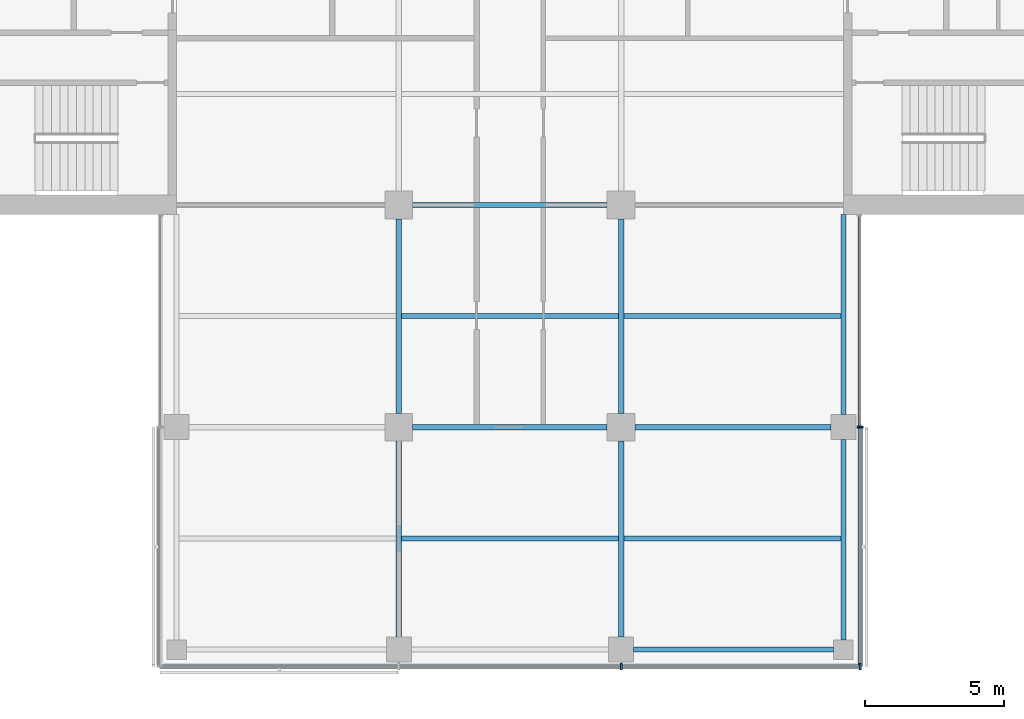
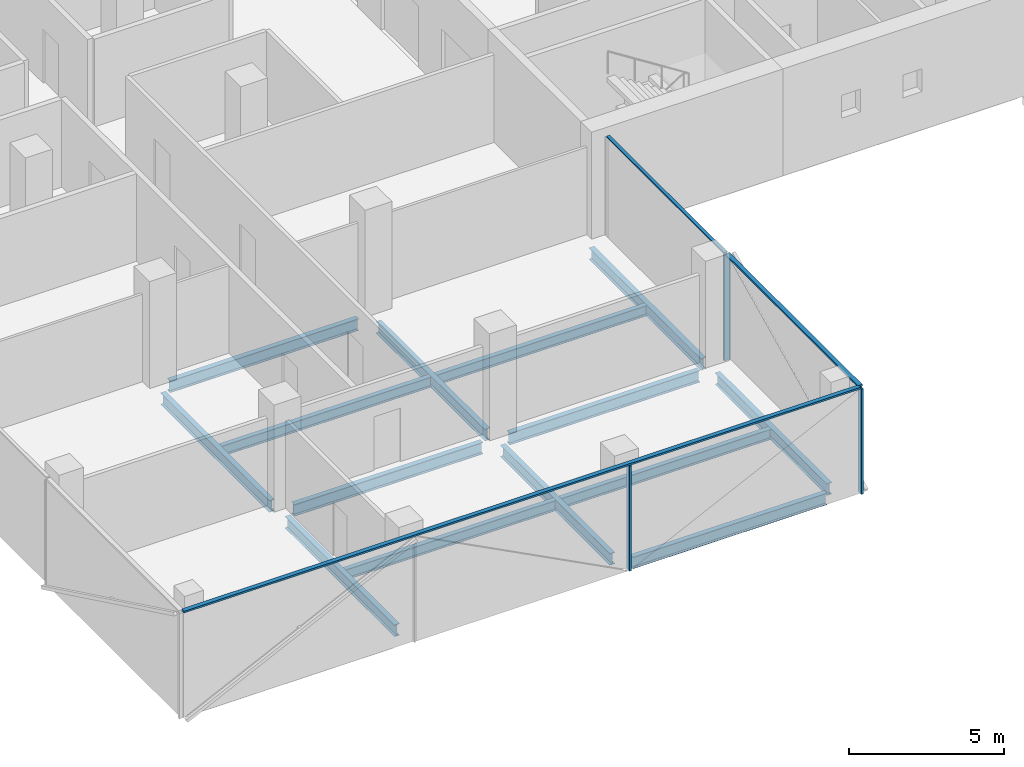
# One storey, part 5 of 22: 14 beams, 7 members, 3 elements without a shape of their own.
"""IFC4 building model written with IfcOpenShell, lengths in metres."""

from ifc_helpers import new_model, si_unit, direction, frame, origin, origin_2d, place, context, subcontext, project, spatial, rectangle, i_section, extrude, material, material_profile, profile_set, type_object, element, aggregate, save


model = new_model("IFC4")

# Units and contexts
model_context = context("Model", 3, precision=1e-05, world=origin(), true_north=direction((0.0, 1.0)))
body_context = subcontext(model_context, "Body", "Model", "MODEL_VIEW")
ifc_project = project(units=[si_unit("LENGTHUNIT", "METRE"), si_unit("AREAUNIT", "SQUARE_METRE"), si_unit("VOLUMEUNIT", "CUBIC_METRE"), si_unit("PLANEANGLEUNIT", "RADIAN"), si_unit("MASSUNIT", "GRAM", prefix="KILO")], contexts=[model_context])

# Site, building, storey
site_placement = place(None, origin())
site = spatial("IfcSite", under=ifc_project, at=site_placement, CompositionType="ELEMENT")
building_placement = place(site_placement, origin())
building = spatial("IfcBuilding", under=site, at=building_placement, Name="Crosswind Convention Tower", CompositionType="ELEMENT")
storey_placement = place(building_placement, frame((0.0, 0.0, 133.699951171875)))
storey = spatial("IfcBuildingStorey", under=building, at=storey_placement, Name="L27", CompositionType="ELEMENT", Elevation=133.699951171875)

# Beams
ifc_material_1 = material(Name="Steel S355", Category="steel")
ifc_material_profile_1 = material_profile(ifc_material_1, i_section(OverallWidth=0.18994140625, OverallDepth=0.45361328125, WebThickness=0.008544921875, FlangeThickness=0.0126953125, FilletRadius=0.01025390625, at=origin_2d()), Name="UB 457x191x67")
ifc_profile_set_1 = profile_set([ifc_material_profile_1], Name="Steel S355")
beam_type_1 = type_object("IfcBeamType", Name="Edge beam UB 457x191x67", PredefinedType="SPANDREL", material=ifc_profile_set_1)
for number, where, z_axis, x_axis, name in (
    (1, (129.449951171875, 72.0, -0.52685546875), (1.0, 0.0, 0.0), (0.0, 1.0, 0.0), "B16 L27 edge beam 14"),
    (2, (137.0, 72.35009765625, -0.52685546875), (0.0, 1.0, 0.0), (-1.0, 0.0, 0.0), "B16 L27 edge beam 16"),
    (3, (137.0, 80.449951171875, -0.52685546875), (0.0, 1.0, 0.0), (-1.0, 0.0, 0.0), "B16 L27 edge beam 17"),
):
    element("IfcBeam", number, at=place(storey_placement, frame(where, z_axis=z_axis, x_axis=x_axis)), inside=storey, type_object=beam_type_1, Name=name, PredefinedType="SPANDREL", context=body_context, shape_type="SweptSolid", body=[
        extrude(i_section(OverallWidth=0.18994140625, OverallDepth=0.45361328125, WebThickness=0.008544921875, FlangeThickness=0.0126953125, FilletRadius=0.01025390625, at=origin_2d()), origin(), (0.0, 0.0, 1.0), 7.199951171875),
    ])
ifc_material_profile_2 = material_profile(ifc_material_1, i_section(OverallWidth=0.19140625, OverallDepth=0.460205078125, WebThickness=0.010009765625, FlangeThickness=0.01611328125, FilletRadius=0.01025390625, at=origin_2d()), Name="UB 457x191x82")
ifc_profile_set_2 = profile_set([ifc_material_profile_2], Name="Steel S355")
beam_type_2 = type_object("IfcBeamType", Name="Girder UB 457x191x82", PredefinedType="BEAM", material=ifc_profile_set_2)
beam_1_placement = place(storey_placement, frame((121.0, 72.449951171875, -0.530029296875), z_axis=(0.0, 1.0, 0.0), x_axis=(-1.0, 0.0, 0.0)))
element("IfcBeam", 4, at=beam_1_placement, inside=storey, type_object=beam_type_2, Name="B3 L27 girder 3", PredefinedType="BEAM", context=body_context, shape_type="SweptSolid", body=[
    extrude(i_section(OverallWidth=0.19140625, OverallDepth=0.460205078125, WebThickness=0.010009765625, FlangeThickness=0.01611328125, FilletRadius=0.01025390625, at=origin_2d()), origin(), (0.0, 0.0, 1.0), 7.050048828125),
])
for number, where, z_axis, x_axis, name in (
    (5, (121.0, 80.5, -0.530029296875), (0.0, 1.0, 0.0), (-1.0, 0.0, 0.0), "B3 L27 girder 4"),
    (6, (121.5, 80.0, -0.530029296875), (1.0, 0.0, 0.0), (0.0, 1.0, 0.0), "B3 L27 girder 10"),
    (7, (121.5, 88.0, -0.530029296875), (1.0, 0.0, 0.0), (0.0, 1.0, 0.0), "B3 L27 girder 11"),
):
    element("IfcBeam", number, at=place(storey_placement, frame(where, z_axis=z_axis, x_axis=x_axis)), inside=storey, type_object=beam_type_2, Name=name, PredefinedType="BEAM", context=body_context, shape_type="SweptSolid", body=[
        extrude(i_section(OverallWidth=0.19140625, OverallDepth=0.460205078125, WebThickness=0.010009765625, FlangeThickness=0.01611328125, FilletRadius=0.01025390625, at=origin_2d()), origin(), (0.0, 0.0, 1.0), 7.0),
    ])
beam_2_placement = place(storey_placement, frame((129.0, 72.449951171875, -0.530029296875), z_axis=(0.0, 1.0, 0.0), x_axis=(-1.0, 0.0, 0.0)))
element("IfcBeam", 8, at=beam_2_placement, inside=storey, type_object=beam_type_2, Name="B3 L27 girder 16", PredefinedType="BEAM", context=body_context, shape_type="SweptSolid", body=[
    extrude(i_section(OverallWidth=0.19140625, OverallDepth=0.460205078125, WebThickness=0.010009765625, FlangeThickness=0.01611328125, FilletRadius=0.01025390625, at=origin_2d()), origin(), (0.0, 0.0, 1.0), 7.050048828125),
])
beam_3_placement = place(storey_placement, frame((129.0, 80.5, -0.530029296875), z_axis=(0.0, 1.0, 0.0), x_axis=(-1.0, 0.0, 0.0)))
element("IfcBeam", 9, at=beam_3_placement, inside=storey, type_object=beam_type_2, Name="B3 L27 girder 17", PredefinedType="BEAM", context=body_context, shape_type="SweptSolid", body=[
    extrude(i_section(OverallWidth=0.19140625, OverallDepth=0.460205078125, WebThickness=0.010009765625, FlangeThickness=0.01611328125, FilletRadius=0.01025390625, at=origin_2d()), origin(), (0.0, 0.0, 1.0), 7.0),
])
beam_4_placement = place(storey_placement, frame((129.5, 80.0, -0.530029296875), z_axis=(1.0, 0.0, 0.0), x_axis=(0.0, 1.0, 0.0)))
element("IfcBeam", 10, at=beam_4_placement, inside=storey, type_object=beam_type_2, Name="B3 L27 girder 23", PredefinedType="BEAM", context=body_context, shape_type="SweptSolid", body=[
    extrude(i_section(OverallWidth=0.19140625, OverallDepth=0.460205078125, WebThickness=0.010009765625, FlangeThickness=0.01611328125, FilletRadius=0.01025390625, at=origin_2d()), origin(), (0.0, 0.0, 1.0), 7.050048828125),
])

# Curtain wall, member
ifc_material_2 = material(Name="Aluminium unitised curtain wall", Category="aluminium")
curtain_wall_type_1 = type_object("IfcCurtainWallType", Name="CORE END SLOT WALL 160", PredefinedType="USERDEFINED", material=ifc_material_2)
curtain_wall_1_placement = place(storey_placement, origin())
curtain_wall_1 = element("IfcCurtainWall", 11, at=curtain_wall_1_placement, inside=storey, type_object=curtain_wall_type_1, Name="CW6 L27 S-E.1-2 slot", ObjectType="UNITISED", PredefinedType="USERDEFINED")
ifc_material_3 = material(Name="Aluminium mullion", Category="aluminium")
ifc_material_profile_3 = material_profile(ifc_material_3, rectangle(XDim=0.159912109375, YDim=0.050048828125, at=origin_2d()), Name="AL 160X50")
ifc_profile_set_3 = profile_set([ifc_material_profile_3], Name="Aluminium mullion")
member_type_1 = type_object("IfcMemberType", Name="MULLION 50X160", PredefinedType="MULLION", material=ifc_profile_set_3)
member_1_placement = place(storey_placement, frame((137.580078125, 80.02490234375, -0.300048828125), z_axis=(0.0, 0.0, 1.0), x_axis=(1.0, 0.0, 0.0)))
member_1 = element("IfcMember", 12, at=member_1_placement, type_object=member_type_1, Name="CW6 mullion 1", PredefinedType="MULLION", context=body_context, shape_type="SweptSolid", body=[
    extrude(rectangle(XDim=0.159912109375, YDim=0.050048828125, at=origin_2d()), origin(), (0.0, 0.0, 1.0), 4.150146484375),
])

# Curtain wall, members
curtain_wall_type_2 = type_object("IfcCurtainWallType", Name="OFFICE UNITISED WALL 220", PredefinedType="USERDEFINED", material=ifc_material_2)
curtain_wall_2_placement = place(storey_placement, origin())
curtain_wall_2 = element("IfcCurtainWall", 13, at=curtain_wall_2_placement, inside=storey, type_object=curtain_wall_type_2, Name="CW3 L27 S-TIP 1", ObjectType="UNITISED", PredefinedType="USERDEFINED")
ifc_material_profile_4 = material_profile(ifc_material_3, rectangle(XDim=0.219970703125, YDim=0.070068359375, at=origin_2d()), Name="AL 220X70")
ifc_profile_set_4 = profile_set([ifc_material_profile_4], Name="Aluminium mullion")
member_type_2 = type_object("IfcMemberType", Name="MULLION 70X220", PredefinedType="MULLION", material=ifc_profile_set_4)
member_2_placement = place(storey_placement, frame((129.0, 71.389892578125, -0.300048828125), z_axis=(0.0, 0.0, 1.0), x_axis=(0.0, -1.0, 0.0)))
member_2 = element("IfcMember", 14, at=member_2_placement, type_object=member_type_2, Name="CW3 mullion 3", PredefinedType="MULLION", context=body_context, shape_type="SweptSolid", body=[
    extrude(rectangle(XDim=0.219970703125, YDim=0.070068359375, at=origin_2d()), origin(), (0.0, 0.0, 1.0), 4.130126953125),
])
member_3_placement = place(storey_placement, frame((137.610107421875, 71.389892578125, -0.300048828125), z_axis=(0.0, 0.0, 1.0), x_axis=(0.0, -1.0, 0.0)))
member_3 = element("IfcMember", 15, at=member_3_placement, type_object=member_type_2, Name="CW3 mullion 4", PredefinedType="MULLION", context=body_context, shape_type="SweptSolid", body=[
    extrude(rectangle(XDim=0.219970703125, YDim=0.070068359375, at=origin_2d()), origin(), (0.0, 0.0, 1.0), 4.130126953125),
])

# Curtain wall, member
curtain_wall_3_placement = place(storey_placement, origin())
curtain_wall_3 = element("IfcCurtainWall", 16, at=curtain_wall_3_placement, inside=storey, type_object=curtain_wall_type_2, Name="CW3 L27 S-E 1", ObjectType="UNITISED", PredefinedType="USERDEFINED")
member_4_placement = place(storey_placement, frame((137.610107421875, 80.0, -0.300048828125), z_axis=(0.0, 0.0, 1.0), x_axis=(1.0, 0.0, 0.0)))
member_4 = element("IfcMember", 17, at=member_4_placement, type_object=member_type_2, Name="CW3 mullion 2", PredefinedType="MULLION", context=body_context, shape_type="SweptSolid", body=[
    extrude(rectangle(XDim=0.219970703125, YDim=0.070068359375, at=origin_2d()), origin(), (0.0, 0.0, 1.0), 4.130126953125),
])

# Beams
ifc_material_profile_5 = material_profile(ifc_material_1, i_section(OverallWidth=0.177734375, OverallDepth=0.406494140625, WebThickness=0.0078125, FlangeThickness=0.0126953125, FilletRadius=0.01025390625, at=origin_2d()), Name="UB 406x178x60")
ifc_profile_set_5 = profile_set([ifc_material_profile_5], Name="Steel S355")
beam_type_3 = type_object("IfcBeamType", Name="Secondary beam UB 406x178x60", PredefinedType="JOIST", material=ifc_profile_set_5)
for number, where, z_axis, x_axis, name in (
    (18, (121.095703125, 76.0, -0.503173828125), (1.0, 0.0, 0.0), (0.0, 1.0, 0.0), "B10 L27 secondary beam 11"),
    (19, (121.095703125, 84.0, -0.503173828125), (1.0, 0.0, 0.0), (0.0, 1.0, 0.0), "B10 L27 secondary beam 12"),
):
    element("IfcBeam", number, at=place(storey_placement, frame(where, z_axis=z_axis, x_axis=x_axis)), inside=storey, type_object=beam_type_3, Name=name, PredefinedType="JOIST", context=body_context, shape_type="SweptSolid", body=[
        extrude(i_section(OverallWidth=0.177734375, OverallDepth=0.406494140625, WebThickness=0.0078125, FlangeThickness=0.0126953125, FilletRadius=0.01025390625, at=origin_2d()), origin(), (0.0, 0.0, 1.0), 7.80859375),
    ])
for number, where, z_axis, x_axis, name in (
    (20, (129.095703125, 76.0, -0.503173828125), (1.0, 0.0, 0.0), (0.0, 1.0, 0.0), "B10 L27 secondary beam 18"),
    (21, (129.095703125, 84.0, -0.503173828125), (1.0, 0.0, 0.0), (0.0, 1.0, 0.0), "B10 L27 secondary beam 19"),
):
    element("IfcBeam", number, at=place(storey_placement, frame(where, z_axis=z_axis, x_axis=x_axis)), inside=storey, type_object=beam_type_3, Name=name, PredefinedType="JOIST", context=body_context, shape_type="SweptSolid", body=[
        extrude(i_section(OverallWidth=0.177734375, OverallDepth=0.406494140625, WebThickness=0.0078125, FlangeThickness=0.0126953125, FilletRadius=0.01025390625, at=origin_2d()), origin(), (0.0, 0.0, 1.0), 7.809326171875),
    ])

# Member
ifc_material_4 = material(Name="Aluminium transom", Category="aluminium")
ifc_material_profile_6 = material_profile(ifc_material_4, rectangle(XDim=0.1201171875, YDim=0.050048828125, at=origin_2d()), Name="AL 120X50")
ifc_profile_set_6 = profile_set([ifc_material_profile_6], Name="Aluminium transom")
member_type_3 = type_object("IfcMemberType", Name="TRANSOM 50X120", PredefinedType="USERDEFINED", material=ifc_profile_set_6)
member_5_placement = place(storey_placement, frame((137.580078125, 80.050048828125, 3.875), z_axis=(0.0, 1.0, 0.0), x_axis=(-1.0, 0.0, 0.0)))
member_5 = element("IfcMember", 22, at=member_5_placement, type_object=member_type_3, Name="CW6 transom", ObjectType="TRANSOM", PredefinedType="USERDEFINED", context=body_context, shape_type="SweptSolid", body=[
    extrude(rectangle(XDim=0.1201171875, YDim=0.050048828125, at=origin_2d()), origin(), (0.0, 0.0, 1.0), 7.550048828125),
])

aggregate(curtain_wall_1, [member_1, member_5])

ifc_material_profile_7 = material_profile(ifc_material_4, rectangle(XDim=0.159912109375, YDim=0.070068359375, at=origin_2d()), Name="AL 160X70")
ifc_profile_set_7 = profile_set([ifc_material_profile_7], Name="Aluminium transom")
member_type_4 = type_object("IfcMemberType", Name="TRANSOM 70X160", PredefinedType="USERDEFINED", material=ifc_profile_set_7)
member_6_placement = place(storey_placement, frame((112.425048828125, 71.389892578125, 3.864990234375), z_axis=(1.0, 0.0, 0.0), x_axis=(0.0, 1.0, 0.0)))
member_6 = element("IfcMember", 23, at=member_6_placement, type_object=member_type_4, Name="CW3 transom", ObjectType="TRANSOM", PredefinedType="USERDEFINED", context=body_context, shape_type="SweptSolid", body=[
    extrude(rectangle(XDim=0.159912109375, YDim=0.070068359375, at=origin_2d()), origin(), (0.0, 0.0, 1.0), 25.14990234375),
])

aggregate(curtain_wall_2, [member_2, member_3, member_6])

member_7_placement = place(storey_placement, frame((137.610107421875, 71.425048828125, 3.864990234375), z_axis=(0.0, 1.0, 0.0), x_axis=(-1.0, 0.0, 0.0)))
member_7 = element("IfcMember", 24, at=member_7_placement, type_object=member_type_4, Name="CW3 transom", ObjectType="TRANSOM", PredefinedType="USERDEFINED", context=body_context, shape_type="SweptSolid", body=[
    extrude(rectangle(XDim=0.159912109375, YDim=0.070068359375, at=origin_2d()), origin(), (0.0, 0.0, 1.0), 8.5400390625),
])

aggregate(curtain_wall_3, [member_4, member_7])

save(model, "model.ifc")
